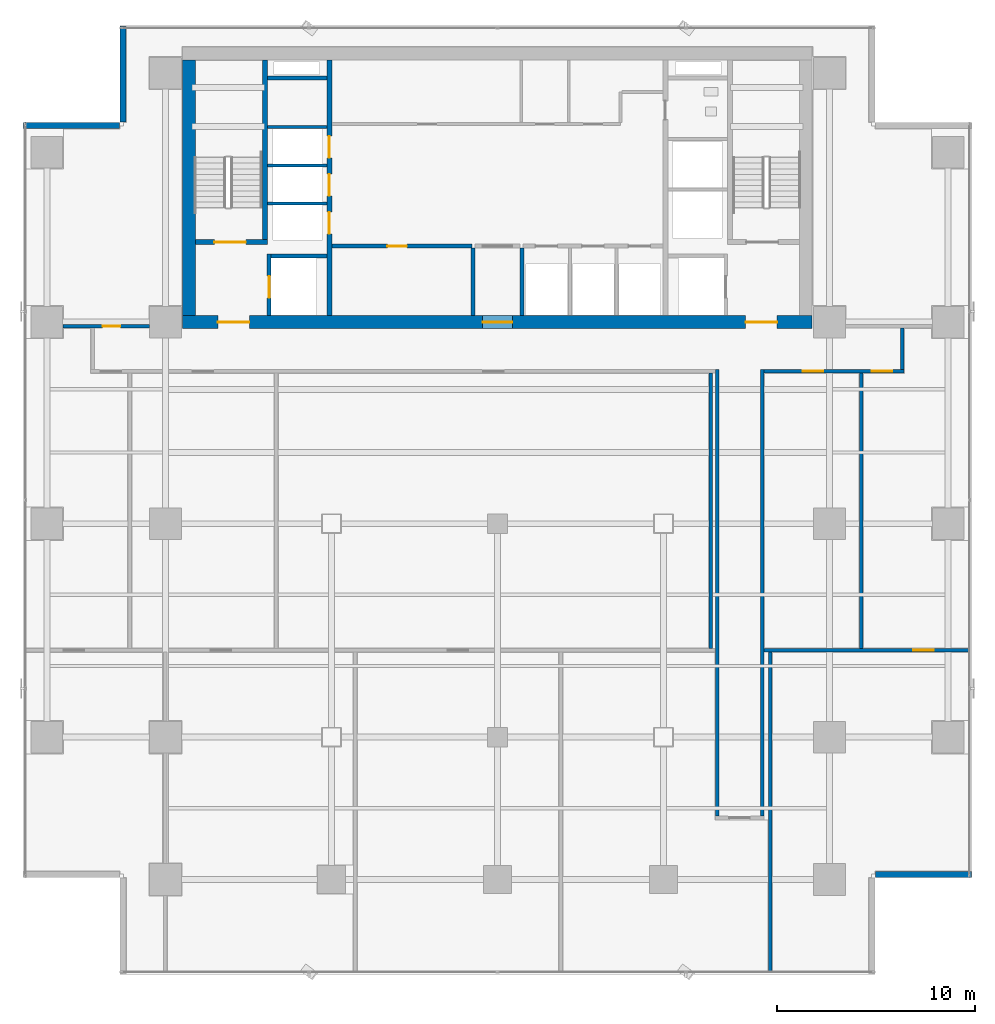
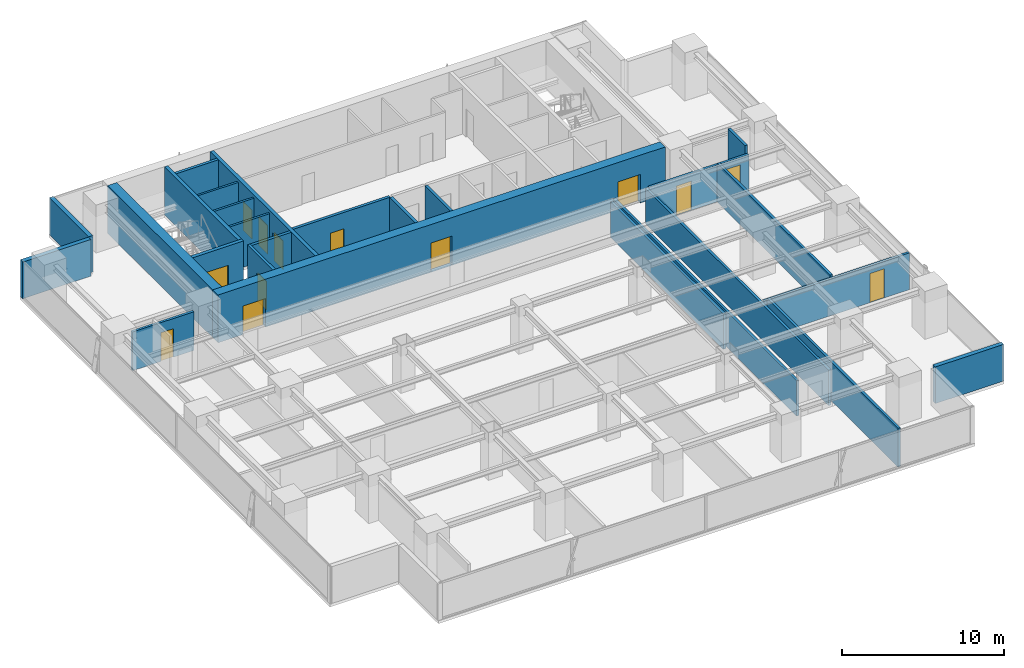
# One storey, part 21 of 28: 26 walls, 13 doors, 13 openings.
"""IFC4 building model written with IfcOpenShell, lengths in metres."""

from ifc_helpers import new_model, si_unit, direction, frame, frame_2d, origin, place, context, subcontext, project, spatial, rectangle, extrude, source, transform, mapped, material, layer, layer_set, type_object, element, fill, save


model = new_model("IFC4")

# Units and contexts
model_context = context("Model", 3, precision=1e-05, world=origin(), true_north=direction((0.0, 1.0)))
body_context = subcontext(model_context, "Body", "Model", "MODEL_VIEW")
ifc_project = project(units=[si_unit("LENGTHUNIT", "METRE"), si_unit("AREAUNIT", "SQUARE_METRE"), si_unit("VOLUMEUNIT", "CUBIC_METRE"), si_unit("PLANEANGLEUNIT", "RADIAN"), si_unit("MASSUNIT", "GRAM", prefix="KILO")], contexts=[model_context])

# Site, building, storey
site_placement = place(None, origin())
site = spatial("IfcSite", under=ifc_project, at=site_placement, CompositionType="ELEMENT")
building_placement = place(site_placement, origin())
building = spatial("IfcBuilding", under=site, at=building_placement, Name="Sumidabori Civic Tower", CompositionType="ELEMENT")
storey_placement = place(building_placement, frame((0.0, 0.0, 167.60009765625)))
storey = spatial("IfcBuildingStorey", under=building, at=storey_placement, Name="L43", CompositionType="ELEMENT", Elevation=167.60009765625)

# Walls
ifc_material_1 = material(Name="Concrete C50/60", Category="concrete")
ifc_layer_1 = layer(ifc_material_1, 0.199951171875, Name="Concrete C50/60")
ifc_layer_set_1 = layer_set([ifc_layer_1], Name="Concrete C50/60")
wall_type_1 = type_object("IfcWallType", Name="WL-SHAFT-200", PredefinedType="SHEAR", material=ifc_layer_set_1)
shared_shape_1 = source(origin(), body_context, "Body", "SweptSolid", [
    extrude(rectangle(XDim=2.824951171875, YDim=0.199951171875, at=frame_2d((1.41259765625, 0.0))), origin(), (0.0, 0.0, 1.0), 3.599853515625),
])
wall_1_placement = place(storey_placement, frame((-11.449951171875, 13.550048828125, 0.0), z_axis=(0.0, 0.0, 1.0), x_axis=(1.0, 0.0, 0.0)))
element("IfcWall", 1, at=wall_1_placement, inside=storey, type_object=wall_type_1, Name="Core Shear Wall L43 EL1-N", PredefinedType="SHEAR", context=body_context, shape_type="MappedRepresentation", body=[
    mapped(shared_shape_1, transform((0.0, 0.0, 0.0), x_axis=(1.0, 0.0, 0.0), y_axis=(0.0, 1.0, 0.0), z_axis=(0.0, 0.0, 1.0), scale=1.0)),
])
shared_shape_2 = source(origin(), body_context, "Body", "SweptSolid", [
    extrude(rectangle(XDim=3.02001953125, YDim=0.199951171875, at=frame_2d((1.510009765625, 0.0))), origin(), (0.0, 0.0, 1.0), 3.599853515625),
])
wall_2_placement = place(storey_placement, frame((-11.64501953125, 22.550048828125, 0.0), z_axis=(0.0, 0.0, 1.0), x_axis=(1.0, 0.0, 0.0)))
element("IfcWall", 2, at=wall_2_placement, inside=storey, type_object=wall_type_1, Name="Core Shear Wall L43 RIS1-S", PredefinedType="SHEAR", context=body_context, shape_type="MappedRepresentation", body=[
    mapped(shared_shape_2, transform((0.0, 0.0, 0.0), x_axis=(1.0, 0.0, 0.0), y_axis=(0.0, 1.0, 0.0), z_axis=(0.0, 0.0, 1.0), scale=1.0)),
])

# Wall, openings, doors
ifc_material_2 = material(Name="Concrete C60/75", Category="concrete")
ifc_layer_2 = layer(ifc_material_2, 0.64990234375, Name="Concrete C60/75")
ifc_layer_set_2 = layer_set([ifc_layer_2], Name="Concrete C60/75")
wall_type_2 = type_object("IfcWallType", Name="WL-CORE-650", PredefinedType="SHEAR", material=ifc_layer_set_2)
shared_shape_3 = source(origin(), body_context, "Body", "SweptSolid", [
    extrude(rectangle(XDim=31.85009765625, YDim=0.64990234375, at=frame_2d((15.925048828125, 0.0))), origin(), (0.0, 0.0, 1.0), 3.599853515625),
])
wall_3_placement = place(storey_placement, frame((-15.925048828125, 10.199951171875, 0.0), z_axis=(0.0, 0.0, 1.0), x_axis=(1.0, 0.0, 0.0)))
wall_3 = element("IfcWall", 3, at=wall_3_placement, inside=storey, type_object=wall_type_2, Name="Core Shear Wall L43 S", PredefinedType="SHEAR", context=body_context, shape_type="MappedRepresentation", body=[
    mapped(shared_shape_3, transform((0.0, 0.0, 0.0), x_axis=(1.0, 0.0, 0.0), y_axis=(0.0, 1.0, 0.0), z_axis=(0.0, 0.0, 1.0), scale=1.0)),
])
opening_1_placement = place(wall_3_placement, frame((1.77490234375, 0.0, 0.0)))
opening_1 = element("IfcOpeningElement", 4, at=opening_1_placement, cuts=wall_3, Name="Opening DR-FD4", PredefinedType="OPENING", context=body_context, shape_type="SweptSolid", body=[
    extrude(rectangle(XDim=1.60009765625, YDim=2.14990234375, at=frame_2d((0.800048828125, 1.074951171875))), frame((0.0, 0.3369140625, 0.0), z_axis=(0.0, -1.0, 0.0), x_axis=(1.0, 0.0, 0.0)), (0.0, 0.0, 1.0), 0.673828125),
])
opening_2_placement = place(wall_3_placement, frame((28.47509765625, 0.0, 0.0)))
opening_2 = element("IfcOpeningElement", 5, at=opening_2_placement, cuts=wall_3, Name="Opening DR-FD4", PredefinedType="OPENING", context=body_context, shape_type="SweptSolid", body=[
    extrude(rectangle(XDim=1.60009765625, YDim=2.14990234375, at=frame_2d((0.800048828125, 1.074951171875))), frame((0.0, 0.3369140625, 0.0), z_axis=(0.0, -1.0, 0.0), x_axis=(1.0, 0.0, 0.0)), (0.0, 0.0, 1.0), 0.673828125),
])
opening_3_placement = place(wall_3_placement, frame((15.175048828125, 0.0, 0.0)))
opening_3 = element("IfcOpeningElement", 6, at=opening_3_placement, cuts=wall_3, Name="Opening DR-FD3", PredefinedType="OPENING", context=body_context, shape_type="SweptSolid", body=[
    extrude(rectangle(XDim=1.5, YDim=2.199951171875, at=frame_2d((0.75, 1.10009765625))), frame((0.0, 0.3369140625, 0.0), z_axis=(0.0, -1.0, 0.0), x_axis=(1.0, 0.0, 0.0)), (0.0, 0.0, 1.0), 0.673828125),
])
ifc_material_3 = material(Name="Steel SN490", Category="steel")
door_type_1 = type_object("IfcDoorType", Name="DR-FD4", OperationType="DOUBLE_DOOR_SINGLE_SWING", PredefinedType="DOOR", material=ifc_material_3)
shared_shape_4 = source(origin(), body_context, "Body", "SweptSolid", [
    extrude(rectangle(XDim=1.60009765625, YDim=2.14990234375, at=frame_2d((0.800048828125, 1.074951171875))), frame((0.0, 0.02490234375, 0.0), z_axis=(0.0, -1.0, 0.0), x_axis=(1.0, 0.0, 0.0)), (0.0, 0.0, 1.0), 0.050048828125),
])
door_1_placement = place(opening_1_placement, origin())
door_1 = element("IfcDoor", 7, at=door_1_placement, inside=storey, type_object=door_type_1, Name="Door DR:L43:ELOB-W", OperationType="DOUBLE_DOOR_SINGLE_SWING", OverallHeight=2.14990234375, OverallWidth=1.60009765625, PredefinedType="DOOR", context=body_context, shape_type="MappedRepresentation", body=[
    mapped(shared_shape_4, transform((0.0, 0.0, 0.0), x_axis=(1.0, 0.0, 0.0), y_axis=(0.0, 1.0, 0.0), z_axis=(0.0, 0.0, 1.0), scale=1.0)),
])
fill(opening_1, door_1)
door_2_placement = place(opening_2_placement, origin())
door_2 = element("IfcDoor", 8, at=door_2_placement, inside=storey, type_object=door_type_1, Name="Door DR:L43:ELOB-E", OperationType="DOUBLE_DOOR_SINGLE_SWING", OverallHeight=2.14990234375, OverallWidth=1.60009765625, PredefinedType="DOOR", context=body_context, shape_type="MappedRepresentation", body=[
    mapped(shared_shape_4, transform((0.0, 0.0, 0.0), x_axis=(1.0, 0.0, 0.0), y_axis=(0.0, 1.0, 0.0), z_axis=(0.0, 0.0, 1.0), scale=1.0)),
])
fill(opening_2, door_2)
door_type_2 = type_object("IfcDoorType", Name="DR-FD-DBL", OperationType="DOUBLE_DOOR_SINGLE_SWING", PredefinedType="DOOR", material=ifc_material_3)
shared_shape_5 = source(origin(), body_context, "Body", "SweptSolid", [
    extrude(rectangle(XDim=1.5, YDim=2.199951171875, at=frame_2d((0.75, 1.10009765625))), frame((0.0, 0.02490234375, 0.0), z_axis=(0.0, -1.0, 0.0), x_axis=(1.0, 0.0, 0.0)), (0.0, 0.0, 1.0), 0.050048828125),
])
door_3_placement = place(opening_3_placement, origin())
door_3 = element("IfcDoor", 9, at=door_3_placement, inside=storey, type_object=door_type_2, Name="Door DR:L43:THROAT-OUT", OperationType="DOUBLE_DOOR_SINGLE_SWING", OverallHeight=2.199951171875, OverallWidth=1.5, PredefinedType="DOOR", context=body_context, shape_type="MappedRepresentation", body=[
    mapped(shared_shape_5, transform((0.0, 0.0, 0.0), x_axis=(1.0, 0.0, 0.0), y_axis=(0.0, 1.0, 0.0), z_axis=(0.0, 0.0, 1.0), scale=1.0)),
])
fill(opening_3, door_3)

# Wall
shared_shape_6 = source(origin(), body_context, "Body", "SweptSolid", [
    extrude(rectangle(XDim=12.9501953125, YDim=0.64990234375, at=frame_2d((6.47509765625, 0.0))), origin(), (0.0, 0.0, 1.0), 3.599853515625),
])
wall_4_placement = place(storey_placement, frame((-15.60009765625, 10.52490234375, 0.0), z_axis=(0.0, 0.0, 1.0), x_axis=(0.0, 1.0, 0.0)))
element("IfcWall", 10, at=wall_4_placement, inside=storey, type_object=wall_type_2, Name="Core Shear Wall L43 W", PredefinedType="SHEAR", context=body_context, shape_type="MappedRepresentation", body=[
    mapped(shared_shape_6, transform((0.0, 0.0, 0.0), x_axis=(1.0, 0.0, 0.0), y_axis=(0.0, 1.0, 0.0), z_axis=(0.0, 0.0, 1.0), scale=1.0)),
])

# Wall, openings, doors
ifc_layer_3 = layer(ifc_material_1, 0.25, Name="Concrete C50/60")
ifc_layer_set_3 = layer_set([ifc_layer_3], Name="Concrete C50/60")
wall_type_3 = type_object("IfcWallType", Name="WL-SHAFT-250", PredefinedType="SHEAR", material=ifc_layer_set_3)
shared_shape_7 = source(origin(), body_context, "Body", "SweptSolid", [
    extrude(rectangle(XDim=12.9501953125, YDim=0.25, at=frame_2d((6.47509765625, 0.0))), origin(), (0.0, 0.0, 1.0), 3.599853515625),
])
wall_5_placement = place(storey_placement, frame((-8.5, 10.52490234375, 0.0), z_axis=(0.0, 0.0, 1.0), x_axis=(0.0, 1.0, 0.0)))
wall_5 = element("IfcWall", 11, at=wall_5_placement, inside=storey, type_object=wall_type_3, Name="Core Shear Wall L43 WEB-W", PredefinedType="SHEAR", context=body_context, shape_type="MappedRepresentation", body=[
    mapped(shared_shape_7, transform((0.0, 0.0, 0.0), x_axis=(1.0, 0.0, 0.0), y_axis=(0.0, 1.0, 0.0), z_axis=(0.0, 0.0, 1.0), scale=1.0)),
])
opening_4_placement = place(wall_5_placement, frame((4.14501953125, 0.0, 0.0)))
opening_4 = element("IfcOpeningElement", 12, at=opening_4_placement, cuts=wall_5, Name="Opening LD-1", PredefinedType="OPENING", context=body_context, shape_type="SweptSolid", body=[
    extrude(rectangle(XDim=1.10009765625, YDim=2.14990234375, at=frame_2d((0.550048828125, 1.074951171875))), frame((0.0, 0.136962890625, 0.0), z_axis=(0.0, -1.0, 0.0), x_axis=(1.0, 0.0, 0.0)), (0.0, 0.0, 1.0), 0.27392578125),
])
opening_5_placement = place(wall_5_placement, frame((6.06494140625, 0.0, 0.0)))
opening_5 = element("IfcOpeningElement", 13, at=opening_5_placement, cuts=wall_5, Name="Opening LD-1", PredefinedType="OPENING", context=body_context, shape_type="SweptSolid", body=[
    extrude(rectangle(XDim=1.10009765625, YDim=2.14990234375, at=frame_2d((0.550048828125, 1.074951171875))), frame((0.0, 0.136962890625, 0.0), z_axis=(0.0, -1.0, 0.0), x_axis=(1.0, 0.0, 0.0)), (0.0, 0.0, 1.0), 0.27392578125),
])
opening_6_placement = place(wall_5_placement, frame((7.985107421875, 0.0, 0.0)))
opening_6 = element("IfcOpeningElement", 14, at=opening_6_placement, cuts=wall_5, Name="Opening LD-1", PredefinedType="OPENING", context=body_context, shape_type="SweptSolid", body=[
    extrude(rectangle(XDim=1.10009765625, YDim=2.14990234375, at=frame_2d((0.550048828125, 1.074951171875))), frame((0.0, 0.136962890625, 0.0), z_axis=(0.0, -1.0, 0.0), x_axis=(1.0, 0.0, 0.0)), (0.0, 0.0, 1.0), 0.27392578125),
])
ifc_material_4 = material(Name="Stainless Steel Hairline Finish", Category="steel")
door_type_3 = type_object("IfcDoorType", Name="DR-LD1", OperationType="DOUBLE_DOOR_SLIDING", PredefinedType="DOOR", material=ifc_material_4)
shared_shape_8 = source(origin(), body_context, "Body", "SweptSolid", [
    extrude(rectangle(XDim=1.10009765625, YDim=2.14990234375, at=frame_2d((0.550048828125, 1.074951171875))), frame((0.0, 0.02490234375, 0.0), z_axis=(0.0, -1.0, 0.0), x_axis=(1.0, 0.0, 0.0)), (0.0, 0.0, 1.0), 0.050048828125),
])
door_4_placement = place(opening_4_placement, origin())
door_4 = element("IfcDoor", 15, at=door_4_placement, inside=storey, type_object=door_type_3, Name="Door DR:L43:LD-PLH1", OperationType="DOUBLE_DOOR_SLIDING", OverallHeight=2.14990234375, OverallWidth=1.10009765625, PredefinedType="DOOR", context=body_context, shape_type="MappedRepresentation", body=[
    mapped(shared_shape_8, transform((0.0, 0.0, 0.0), x_axis=(1.0, 0.0, 0.0), y_axis=(0.0, 1.0, 0.0), z_axis=(0.0, 0.0, 1.0), scale=1.0)),
])
fill(opening_4, door_4)
door_5_placement = place(opening_5_placement, origin())
door_5 = element("IfcDoor", 16, at=door_5_placement, inside=storey, type_object=door_type_3, Name="Door DR:L43:LD-PLH2", OperationType="DOUBLE_DOOR_SLIDING", OverallHeight=2.14990234375, OverallWidth=1.10009765625, PredefinedType="DOOR", context=body_context, shape_type="MappedRepresentation", body=[
    mapped(shared_shape_8, transform((0.0, 0.0, 0.0), x_axis=(1.0, 0.0, 0.0), y_axis=(0.0, 1.0, 0.0), z_axis=(0.0, 0.0, 1.0), scale=1.0)),
])
fill(opening_5, door_5)
door_6_placement = place(opening_6_placement, origin())
door_6 = element("IfcDoor", 17, at=door_6_placement, inside=storey, type_object=door_type_3, Name="Door DR:L43:LD-PLH3", OperationType="DOUBLE_DOOR_SLIDING", OverallHeight=2.14990234375, OverallWidth=1.10009765625, PredefinedType="DOOR", context=body_context, shape_type="MappedRepresentation", body=[
    mapped(shared_shape_8, transform((0.0, 0.0, 0.0), x_axis=(1.0, 0.0, 0.0), y_axis=(0.0, 1.0, 0.0), z_axis=(0.0, 0.0, 1.0), scale=1.0)),
])
fill(opening_6, door_6)

# Wall, opening, door
shared_shape_9 = source(origin(), body_context, "Body", "SweptSolid", [
    extrude(rectangle(XDim=3.6298828125, YDim=0.25, at=frame_2d((1.81494140625, 0.0))), origin(), (0.0, 0.0, 1.0), 3.599853515625),
])
wall_6_placement = place(storey_placement, frame((-15.27490234375, 14.25, 0.0), z_axis=(0.0, 0.0, 1.0), x_axis=(1.0, 0.0, 0.0)))
wall_6 = element("IfcWall", 18, at=wall_6_placement, inside=storey, type_object=wall_type_3, Name="Core Shear Wall L43 ST1-S", PredefinedType="SHEAR", context=body_context, shape_type="MappedRepresentation", body=[
    mapped(shared_shape_9, transform((0.0, 0.0, 0.0), x_axis=(1.0, 0.0, 0.0), y_axis=(0.0, 1.0, 0.0), z_axis=(0.0, 0.0, 1.0), scale=1.0)),
])
opening_7_placement = place(wall_6_placement, frame((0.949951171875, 0.0, 0.0)))
opening_7 = element("IfcOpeningElement", 19, at=opening_7_placement, cuts=wall_6, Name="Opening DR-FD4", PredefinedType="OPENING", context=body_context, shape_type="SweptSolid", body=[
    extrude(rectangle(XDim=1.60009765625, YDim=2.14990234375, at=frame_2d((0.800048828125, 1.074951171875))), frame((0.0, 0.136962890625, 0.0), z_axis=(0.0, -1.0, 0.0), x_axis=(1.0, 0.0, 0.0)), (0.0, 0.0, 1.0), 0.27392578125),
])
door_7_placement = place(opening_7_placement, origin())
door_7 = element("IfcDoor", 20, at=door_7_placement, inside=storey, type_object=door_type_1, Name="Door DR:L43:ST1", OperationType="DOUBLE_DOOR_SINGLE_SWING", OverallHeight=2.14990234375, OverallWidth=1.60009765625, PredefinedType="DOOR", context=body_context, shape_type="MappedRepresentation", body=[
    mapped(shared_shape_4, transform((0.0, 0.0, 0.0), x_axis=(1.0, 0.0, 0.0), y_axis=(0.0, 1.0, 0.0), z_axis=(0.0, 0.0, 1.0), scale=1.0)),
])
fill(opening_7, door_7)

# Wall
shared_shape_10 = source(origin(), body_context, "Body", "SweptSolid", [
    extrude(rectangle(XDim=9.10009765625, YDim=0.25, at=frame_2d((4.550048828125, 0.0))), origin(), (0.0, 0.0, 1.0), 3.599853515625),
])
wall_7_placement = place(storey_placement, frame((-11.77001953125, 14.375, 0.0), z_axis=(0.0, 0.0, 1.0), x_axis=(0.0, 1.0, 0.0)))
element("IfcWall", 21, at=wall_7_placement, inside=storey, type_object=wall_type_3, Name="Core Shear Wall L43 ST1-E", PredefinedType="SHEAR", context=body_context, shape_type="MappedRepresentation", body=[
    mapped(shared_shape_10, transform((0.0, 0.0, 0.0), x_axis=(1.0, 0.0, 0.0), y_axis=(0.0, 1.0, 0.0), z_axis=(0.0, 0.0, 1.0), scale=1.0)),
])

# Wall, opening, door
shared_shape_11 = source(origin(), body_context, "Body", "SweptSolid", [
    extrude(rectangle(XDim=3.125, YDim=0.199951171875, at=frame_2d((1.5625, 0.0))), origin(), (0.0, 0.0, 1.0), 3.599853515625),
])
wall_8_placement = place(storey_placement, frame((-11.550048828125, 10.52490234375, 0.0), z_axis=(0.0, 0.0, 1.0), x_axis=(0.0, 1.0, 0.0)))
wall_8 = element("IfcWall", 22, at=wall_8_placement, inside=storey, type_object=wall_type_1, Name="Core Shear Wall L43 EL1-W", PredefinedType="SHEAR", context=body_context, shape_type="MappedRepresentation", body=[
    mapped(shared_shape_11, transform((0.0, 0.0, 0.0), x_axis=(1.0, 0.0, 0.0), y_axis=(0.0, 1.0, 0.0), z_axis=(0.0, 0.0, 1.0), scale=1.0)),
])
opening_8_placement = place(wall_8_placement, frame((0.89990234375, 0.0, 0.0)))
opening_8 = element("IfcOpeningElement", 23, at=opening_8_placement, cuts=wall_8, Name="Opening LD-2", PredefinedType="OPENING", context=body_context, shape_type="SweptSolid", body=[
    extrude(rectangle(XDim=1.10009765625, YDim=2.14990234375, at=frame_2d((0.550048828125, 1.074951171875))), frame((0.0, 0.11181640625, 0.0), z_axis=(0.0, -1.0, 0.0), x_axis=(1.0, 0.0, 0.0)), (0.0, 0.0, 1.0), 0.223876953125),
])
door_type_4 = type_object("IfcDoorType", Name="DR-LD2", OperationType="DOUBLE_DOOR_SLIDING", PredefinedType="DOOR", material=ifc_material_4)
door_8_placement = place(opening_8_placement, origin())
door_8 = element("IfcDoor", 24, at=door_8_placement, inside=storey, type_object=door_type_4, Name="Door DR:L43:LD-EL1", OperationType="DOUBLE_DOOR_SLIDING", OverallHeight=2.14990234375, OverallWidth=1.10009765625, PredefinedType="DOOR", context=body_context, shape_type="MappedRepresentation", body=[
    mapped(shared_shape_8, transform((0.0, 0.0, 0.0), x_axis=(1.0, 0.0, 0.0), y_axis=(0.0, 1.0, 0.0), z_axis=(0.0, 0.0, 1.0), scale=1.0)),
])
fill(opening_8, door_8)

# Walls
ifc_material_5 = material(Name="Precast concrete C40/50", Category="concrete")
ifc_layer_4 = layer(ifc_material_5, 0.300048828125, Name="Precast concrete C40/50")
ifc_layer_set_4 = layer_set([ifc_layer_4], Name="Precast concrete C40/50")
wall_type_4 = type_object("IfcWallType", Name="WL-EXT-POD300", PredefinedType="STANDARD", material=ifc_layer_set_4)
shared_shape_12 = source(origin(), body_context, "Body", "SweptSolid", [
    extrude(rectangle(XDim=4.85986328125, YDim=0.300048828125, at=frame_2d((2.429931640625, 0.0))), origin(), (0.0, 0.0, 1.0), 2.760009765625),
])
for number, where, z_axis, x_axis, name in (
    (25, (19.1201171875, -17.75, 0.0), (0.0, 0.0, 1.0), (1.0, 0.0, 0.0), "Notched Corner Spandrel Band L43-03"),
    (26, (-18.949951171875, 25.179931640625, 0.0), (0.0, 0.0, 1.0), (0.0, -1.0, 0.0), "Notched Corner Spandrel Band L43-08"),
    (27, (-19.1201171875, 20.14990234375, 0.0), (0.0, 0.0, 1.0), (-1.0, 0.0, 0.0), "Notched Corner Spandrel Band L43-09"),
):
    element("IfcWall", number, at=place(storey_placement, frame(where, z_axis=z_axis, x_axis=x_axis)), inside=storey, type_object=wall_type_4, Name=name, PredefinedType="STANDARD", context=body_context, shape_type="MappedRepresentation", body=[
        mapped(shared_shape_12, transform((0.0, 0.0, 0.0), x_axis=(1.0, 0.0, 0.0), y_axis=(0.0, 1.0, 0.0), z_axis=(0.0, 0.0, 1.0), scale=1.0)),
    ])
ifc_material_6 = material(Name="Gypsum Plasterboard Acoustic Partition")
ifc_layer_5 = layer(ifc_material_6, 0.14990234375, Name="Gypsum Plasterboard Acoustic Partition")
ifc_layer_set_5 = layer_set([ifc_layer_5], Name="Gypsum Plasterboard Acoustic Partition")
wall_type_5 = type_object("IfcWallType", Name="WL-PART-150", PredefinedType="PARTITIONING", material=ifc_layer_set_5)
shared_shape_13 = source(origin(), body_context, "Body", "SweptSolid", [
    extrude(rectangle(XDim=3.010009765625, YDim=0.14990234375, at=frame_2d((1.5048828125, 0.0))), origin(), (0.0, 0.0, 1.0), 3.3798828125),
])
for number, where, z_axis, x_axis, name in (
    (28, (-11.639892578125, 16.199951171875, 0.0), (0.0, 0.0, 1.0), (1.0, 0.0, 0.0), "Interior Partition WL:L43:DIV-PLH1"),
    (29, (-11.639892578125, 18.1201171875, 0.0), (0.0, 0.0, 1.0), (1.0, 0.0, 0.0), "Interior Partition WL:L43:DIV-PLH2"),
    (30, (-11.639892578125, 20.080078125, 0.0), (0.0, 0.0, 1.0), (1.0, 0.0, 0.0), "Interior Partition WL:L43:DIV-PLH3"),
):
    element("IfcWall", number, at=place(storey_placement, frame(where, z_axis=z_axis, x_axis=x_axis)), inside=storey, type_object=wall_type_5, Name=name, PredefinedType="PARTITIONING", context=body_context, shape_type="MappedRepresentation", body=[
        mapped(shared_shape_13, transform((0.0, 0.0, 0.0), x_axis=(1.0, 0.0, 0.0), y_axis=(0.0, 1.0, 0.0), z_axis=(0.0, 0.0, 1.0), scale=1.0)),
    ])

# Wall, opening, door
ifc_material_7 = material(Name="Gypsum Plasterboard Fire Partition")
ifc_layer_6 = layer(ifc_material_7, 0.199951171875, Name="Gypsum Plasterboard Fire Partition")
ifc_layer_set_6 = layer_set([ifc_layer_6], Name="Gypsum Plasterboard Fire Partition")
wall_type_6 = type_object("IfcWallType", Name="WL-PART-FIRE", PredefinedType="PARTITIONING", material=ifc_layer_set_6)
shared_shape_14 = source(origin(), body_context, "Body", "SweptSolid", [
    extrude(rectangle(XDim=7.070068359375, YDim=0.199951171875, at=frame_2d((3.53515625, 0.0))), origin(), (0.0, 0.0, 1.0), 3.3798828125),
])
wall_9_placement = place(storey_placement, frame((-8.3701171875, 14.050048828125, 0.0), z_axis=(0.0, 0.0, 1.0), x_axis=(1.0, 0.0, 0.0)))
wall_9 = element("IfcWall", 31, at=wall_9_placement, inside=storey, type_object=wall_type_6, Name="Interior Partition WL:L43:CBAND-SW", PredefinedType="PARTITIONING", context=body_context, shape_type="MappedRepresentation", body=[
    mapped(shared_shape_14, transform((0.0, 0.0, 0.0), x_axis=(1.0, 0.0, 0.0), y_axis=(0.0, 1.0, 0.0), z_axis=(0.0, 0.0, 1.0), scale=1.0)),
])
opening_9_placement = place(wall_9_placement, frame((2.800048828125, 0.0, 0.0)))
opening_9 = element("IfcOpeningElement", 32, at=opening_9_placement, cuts=wall_9, Name="Opening DR-3", PredefinedType="OPENING", context=body_context, shape_type="SweptSolid", body=[
    extrude(rectangle(XDim=0.97998046875, YDim=2.14990234375, at=frame_2d((0.489990234375, 1.074951171875))), frame((0.0, 0.11181640625, 0.0), z_axis=(0.0, -1.0, 0.0), x_axis=(1.0, 0.0, 0.0)), (0.0, 0.0, 1.0), 0.223876953125),
])
ifc_material_8 = material(Name="Japanese Hinoki Timber", Category="wood")
door_type_5 = type_object("IfcDoorType", Name="DR-INT-980", OperationType="NOTDEFINED", PredefinedType="DOOR", material=ifc_material_8)
shared_shape_15 = source(origin(), body_context, "Body", "SweptSolid", [
    extrude(rectangle(XDim=0.97998046875, YDim=2.14990234375, at=frame_2d((0.489990234375, 1.074951171875))), frame((0.0, 0.02490234375, 0.0), z_axis=(0.0, -1.0, 0.0), x_axis=(1.0, 0.0, 0.0)), (0.0, 0.0, 1.0), 0.050048828125),
])
door_9_placement = place(opening_9_placement, origin())
door_9 = element("IfcDoor", 33, at=door_9_placement, inside=storey, type_object=door_type_5, Name="Door DR:L43:REC-B1", OperationType="SINGLE_SWING_LEFT", OverallHeight=2.14990234375, OverallWidth=0.97998046875, PredefinedType="DOOR", context=body_context, shape_type="MappedRepresentation", body=[
    mapped(shared_shape_15, transform((0.0, 0.0, 0.0), x_axis=(1.0, 0.0, 0.0), y_axis=(0.0, 1.0, 0.0), z_axis=(0.0, 0.0, 1.0), scale=1.0)),
])
fill(opening_9, door_9)

# Walls
shared_shape_16 = source(origin(), body_context, "Body", "SweptSolid", [
    extrude(rectangle(XDim=3.4150390625, YDim=0.199951171875, at=frame_2d((1.70751953125, 0.0))), origin(), (0.0, 0.0, 1.0), 3.3798828125),
])
for number, where, z_axis, x_axis, name in (
    (34, (-1.25, 10.52490234375, 0.0), (0.0, 0.0, 1.0), (0.0, 1.0, 0.0), "Interior Partition WL:L43:THROAT-W"),
    (35, (1.25, 10.52490234375, 0.0), (0.0, 0.0, 1.0), (0.0, 1.0, 0.0), "Interior Partition WL:L43:THROAT-E"),
):
    element("IfcWall", number, at=place(storey_placement, frame(where, z_axis=z_axis, x_axis=x_axis)), inside=storey, type_object=wall_type_6, Name=name, PredefinedType="PARTITIONING", context=body_context, shape_type="MappedRepresentation", body=[
        mapped(shared_shape_16, transform((0.0, 0.0, 0.0), x_axis=(1.0, 0.0, 0.0), y_axis=(0.0, 1.0, 0.0), z_axis=(0.0, 0.0, 1.0), scale=1.0)),
    ])

# Wall, opening, door
ifc_layer_7 = layer(ifc_material_6, 0.179931640625, Name="Gypsum Plasterboard Acoustic Partition")
ifc_layer_set_7 = layer_set([ifc_layer_7], Name="Gypsum Plasterboard Acoustic Partition")
wall_type_7 = type_object("IfcWallType", Name="WL-PART-180", PredefinedType="PARTITIONING", material=ifc_layer_set_7)
shared_shape_17 = source(origin(), body_context, "Body", "SweptSolid", [
    extrude(rectangle(XDim=4.3798828125, YDim=0.179931640625, at=frame_2d((2.18994140625, 0.0))), origin(), (0.0, 0.0, 1.0), 2.914794921875),
])
wall_10_placement = place(storey_placement, frame((-21.989990234375, 10.0, 0.0), z_axis=(0.0, 0.0, 1.0), x_axis=(1.0, 0.0, 0.0)))
wall_10 = element("IfcWall", 36, at=wall_10_placement, inside=storey, type_object=wall_type_7, Name="Interior Partition WL:L43:FLK-NW", PredefinedType="PARTITIONING", context=body_context, shape_type="MappedRepresentation", body=[
    mapped(shared_shape_17, transform((0.0, 0.0, 0.0), x_axis=(1.0, 0.0, 0.0), y_axis=(0.0, 1.0, 0.0), z_axis=(0.0, 0.0, 1.0), scale=1.0)),
])
opening_10_placement = place(wall_10_placement, frame((2.014892578125, 0.0, 0.0)))
opening_10 = element("IfcOpeningElement", 37, at=opening_10_placement, cuts=wall_10, Name="Opening DR-1", PredefinedType="OPENING", context=body_context, shape_type="SweptSolid", body=[
    extrude(rectangle(XDim=0.89990234375, YDim=2.14990234375, at=frame_2d((0.449951171875, 1.074951171875))), frame((0.0, 0.10205078125, 0.0), z_axis=(0.0, -1.0, 0.0), x_axis=(1.0, 0.0, 0.0)), (0.0, 0.0, 1.0), 0.203857421875),
])
door_type_6 = type_object("IfcDoorType", Name="DR-INT-900", OperationType="NOTDEFINED", PredefinedType="DOOR", material=ifc_material_8)
shared_shape_18 = source(origin(), body_context, "Body", "SweptSolid", [
    extrude(rectangle(XDim=0.89990234375, YDim=2.14990234375, at=frame_2d((0.449951171875, 1.074951171875))), frame((0.0, 0.02490234375, 0.0), z_axis=(0.0, -1.0, 0.0), x_axis=(1.0, 0.0, 0.0)), (0.0, 0.0, 1.0), 0.050048828125),
])
door_10_placement = place(opening_10_placement, origin())
door_10 = element("IfcDoor", 38, at=door_10_placement, inside=storey, type_object=door_type_6, Name="Door DR:L43:FLK-NW", OperationType="SINGLE_SWING_LEFT", OverallHeight=2.14990234375, OverallWidth=0.89990234375, PredefinedType="DOOR", context=body_context, shape_type="MappedRepresentation", body=[
    mapped(shared_shape_18, transform((0.0, 0.0, 0.0), x_axis=(1.0, 0.0, 0.0), y_axis=(0.0, 1.0, 0.0), z_axis=(0.0, 0.0, 1.0), scale=1.0)),
])
fill(opening_10, door_10)

# Wall, openings, doors
shared_shape_19 = source(origin(), body_context, "Body", "SweptSolid", [
    extrude(rectangle(XDim=7.10009765625, YDim=0.179931640625, at=frame_2d((3.550048828125, 0.0))), origin(), (0.0, 0.0, 1.0), 2.764892578125),
])
wall_11_placement = place(storey_placement, frame((13.47998046875, 7.7099609375, 0.0), z_axis=(0.0, 0.0, 1.0), x_axis=(1.0, 0.0, 0.0)))
wall_11 = element("IfcWall", 39, at=wall_11_placement, inside=storey, type_object=wall_type_7, Name="Interior Partition WL:L43:CORR-SE", PredefinedType="PARTITIONING", context=body_context, shape_type="MappedRepresentation", body=[
    mapped(shared_shape_19, transform((0.0, 0.0, 0.0), x_axis=(1.0, 0.0, 0.0), y_axis=(0.0, 1.0, 0.0), z_axis=(0.0, 0.0, 1.0), scale=1.0)),
])
opening_11_placement = place(wall_11_placement, frame((5.465087890625, 0.0, 0.0)))
opening_11 = element("IfcOpeningElement", 40, at=opening_11_placement, cuts=wall_11, Name="Opening DR-4", PredefinedType="OPENING", context=body_context, shape_type="SweptSolid", body=[
    extrude(rectangle(XDim=1.0400390625, YDim=2.199951171875, at=frame_2d((0.52001953125, 1.10009765625))), frame((0.0, 0.10205078125, 0.0), z_axis=(0.0, -1.0, 0.0), x_axis=(1.0, 0.0, 0.0)), (0.0, 0.0, 1.0), 0.203857421875),
])
opening_12_placement = place(wall_11_placement, frame((1.955078125, 0.0, 0.0)))
opening_12 = element("IfcOpeningElement", 41, at=opening_12_placement, cuts=wall_11, Name="Opening DR-4", PredefinedType="OPENING", context=body_context, shape_type="SweptSolid", body=[
    extrude(rectangle(XDim=1.0400390625, YDim=2.199951171875, at=frame_2d((0.52001953125, 1.10009765625))), frame((0.0, 0.10205078125, 0.0), z_axis=(0.0, -1.0, 0.0), x_axis=(1.0, 0.0, 0.0)), (0.0, 0.0, 1.0), 0.203857421875),
])
door_type_7 = type_object("IfcDoorType", Name="DR-INT-1040", OperationType="NOTDEFINED", PredefinedType="DOOR", material=ifc_material_8)
shared_shape_20 = source(origin(), body_context, "Body", "SweptSolid", [
    extrude(rectangle(XDim=1.0400390625, YDim=2.199951171875, at=frame_2d((0.52001953125, 1.10009765625))), frame((0.0, 0.02490234375, 0.0), z_axis=(0.0, -1.0, 0.0), x_axis=(1.0, 0.0, 0.0)), (0.0, 0.0, 1.0), 0.050048828125),
])
door_11_placement = place(opening_11_placement, origin())
door_11 = element("IfcDoor", 42, at=door_11_placement, inside=storey, type_object=door_type_7, Name="Door DR:L43:D03", OperationType="SINGLE_SWING_LEFT", OverallHeight=2.199951171875, OverallWidth=1.0400390625, PredefinedType="DOOR", context=body_context, shape_type="MappedRepresentation", body=[
    mapped(shared_shape_20, transform((0.0, 0.0, 0.0), x_axis=(1.0, 0.0, 0.0), y_axis=(0.0, 1.0, 0.0), z_axis=(0.0, 0.0, 1.0), scale=1.0)),
])
fill(opening_11, door_11)
door_12_placement = place(opening_12_placement, origin())
door_12 = element("IfcDoor", 43, at=door_12_placement, inside=storey, type_object=door_type_7, Name="Door DR:L43:D06", OperationType="SINGLE_SWING_RIGHT", OverallHeight=2.199951171875, OverallWidth=1.0400390625, PredefinedType="DOOR", context=body_context, shape_type="MappedRepresentation", body=[
    mapped(shared_shape_20, transform((0.0, 0.0, 0.0), x_axis=(1.0, 0.0, 0.0), y_axis=(0.0, 1.0, 0.0), z_axis=(0.0, 0.0, 1.0), scale=1.0)),
])
fill(opening_12, door_12)

# Walls
shared_shape_21 = source(origin(), body_context, "Body", "SweptSolid", [
    extrude(rectangle(XDim=2.10009765625, YDim=0.179931640625, at=frame_2d((1.050048828125, 0.0))), origin(), (0.0, 0.0, 1.0), 3.3798828125),
])
wall_12_placement = place(storey_placement, frame((20.489990234375, 7.804931640625, 0.0), z_axis=(0.0, 0.0, 1.0), x_axis=(0.0, 1.0, 0.0)))
element("IfcWall", 44, at=wall_12_placement, inside=storey, type_object=wall_type_7, Name="Interior Partition WL:L43:CORR-VNE", PredefinedType="PARTITIONING", context=body_context, shape_type="MappedRepresentation", body=[
    mapped(shared_shape_21, transform((0.0, 0.0, 0.0), x_axis=(1.0, 0.0, 0.0), y_axis=(0.0, 1.0, 0.0), z_axis=(0.0, 0.0, 1.0), scale=1.0)),
])
shared_shape_22 = source(origin(), body_context, "Body", "SweptSolid", [
    extrude(rectangle(XDim=22.594970703125, YDim=0.179931640625, at=frame_2d((11.29736328125, 0.0))), origin(), (0.0, 0.0, 1.0), 2.664794921875),
])
for number, where, z_axis, x_axis, name in (
    (45, (11.110107421875, -14.794921875, 0.0), (0.0, 0.0, 1.0), (0.0, 1.0, 0.0), "Interior Partition WL:L43:CORR-VL-W"),
    (46, (13.389892578125, -14.794921875, 0.0), (0.0, 0.0, 1.0), (0.0, 1.0, 0.0), "Interior Partition WL:L43:CORR-VL-E"),
):
    element("IfcWall", number, at=place(storey_placement, frame(where, z_axis=z_axis, x_axis=x_axis)), inside=storey, type_object=wall_type_7, Name=name, PredefinedType="PARTITIONING", context=body_context, shape_type="MappedRepresentation", body=[
        mapped(shared_shape_22, transform((0.0, 0.0, 0.0), x_axis=(1.0, 0.0, 0.0), y_axis=(0.0, 1.0, 0.0), z_axis=(0.0, 0.0, 1.0), scale=1.0)),
    ])

# Wall, opening, door
shared_shape_23 = source(origin(), body_context, "Body", "SweptSolid", [
    extrude(rectangle(XDim=10.364990234375, YDim=0.179931640625, at=frame_2d((5.1826171875, 0.0))), origin(), (0.0, 0.0, 1.0), 2.764892578125),
])
wall_13_placement = place(storey_placement, frame((13.485107421875, -6.39990234375, 0.0), z_axis=(0.0, 0.0, 1.0), x_axis=(1.0, 0.0, 0.0)))
wall_13 = element("IfcWall", 47, at=wall_13_placement, inside=storey, type_object=wall_type_7, Name="Interior Partition WL:L43:BAND-Y-2", PredefinedType="PARTITIONING", context=body_context, shape_type="MappedRepresentation", body=[
    mapped(shared_shape_23, transform((0.0, 0.0, 0.0), x_axis=(1.0, 0.0, 0.0), y_axis=(0.0, 1.0, 0.0), z_axis=(0.0, 0.0, 1.0), scale=1.0)),
])
opening_13_placement = place(wall_13_placement, frame((7.544921875, 0.0, 0.0)))
opening_13 = element("IfcOpeningElement", 48, at=opening_13_placement, cuts=wall_13, Name="Opening DR-4", PredefinedType="OPENING", context=body_context, shape_type="SweptSolid", body=[
    extrude(rectangle(XDim=1.0400390625, YDim=2.199951171875, at=frame_2d((0.52001953125, 1.10009765625))), frame((0.0, 0.10205078125, 0.0), z_axis=(0.0, -1.0, 0.0), x_axis=(1.0, 0.0, 0.0)), (0.0, 0.0, 1.0), 0.203857421875),
])
door_13_placement = place(opening_13_placement, origin())
door_13 = element("IfcDoor", 49, at=door_13_placement, inside=storey, type_object=door_type_7, Name="Door DR:L43:D09", OperationType="SINGLE_SWING_LEFT", OverallHeight=2.199951171875, OverallWidth=1.0400390625, PredefinedType="DOOR", context=body_context, shape_type="MappedRepresentation", body=[
    mapped(shared_shape_20, transform((0.0, 0.0, 0.0), x_axis=(1.0, 0.0, 0.0), y_axis=(0.0, 1.0, 0.0), z_axis=(0.0, 0.0, 1.0), scale=1.0)),
])
fill(opening_13, door_13)

# Walls
shared_shape_24 = source(origin(), body_context, "Body", "SweptSolid", [
    extrude(rectangle(XDim=13.919921875, YDim=0.179931640625, at=frame_2d((6.9599609375, 0.0))), origin(), (0.0, 0.0, 1.0), 2.914794921875),
])
wall_14_placement = place(storey_placement, frame((18.39990234375, -6.304931640625, 0.0), z_axis=(0.0, 0.0, 1.0), x_axis=(0.0, 1.0, 0.0)))
element("IfcWall", 50, at=wall_14_placement, inside=storey, type_object=wall_type_7, Name="Interior Partition WL:L43:VX-N4", PredefinedType="PARTITIONING", context=body_context, shape_type="MappedRepresentation", body=[
    mapped(shared_shape_24, transform((0.0, 0.0, 0.0), x_axis=(1.0, 0.0, 0.0), y_axis=(0.0, 1.0, 0.0), z_axis=(0.0, 0.0, 1.0), scale=1.0)),
])
shared_shape_25 = source(origin(), body_context, "Body", "SweptSolid", [
    extrude(rectangle(XDim=13.919921875, YDim=0.179931640625, at=frame_2d((6.9599609375, 0.0))), origin(), (0.0, 0.0, 1.0), 2.664794921875),
])
wall_15_placement = place(storey_placement, frame((10.800048828125, -6.304931640625, 0.0), z_axis=(0.0, 0.0, 1.0), x_axis=(0.0, 1.0, 0.0)))
element("IfcWall", 51, at=wall_15_placement, inside=storey, type_object=wall_type_7, Name="Interior Partition WL:L43:VX-N3", PredefinedType="PARTITIONING", context=body_context, shape_type="MappedRepresentation", body=[
    mapped(shared_shape_25, transform((0.0, 0.0, 0.0), x_axis=(1.0, 0.0, 0.0), y_axis=(0.0, 1.0, 0.0), z_axis=(0.0, 0.0, 1.0), scale=1.0)),
])
shared_shape_26 = source(origin(), body_context, "Body", "SweptSolid", [
    extrude(rectangle(XDim=16.15478515625, YDim=0.179931640625, at=frame_2d((8.077392578125, 0.0))), origin(), (0.0, 0.0, 1.0), 2.914794921875),
])
wall_16_placement = place(storey_placement, frame((13.800048828125, -22.64990234375, 0.0), z_axis=(0.0, 0.0, 1.0), x_axis=(0.0, 1.0, 0.0)))
element("IfcWall", 52, at=wall_16_placement, inside=storey, type_object=wall_type_7, Name="Interior Partition WL:L43:VX-S4", PredefinedType="PARTITIONING", context=body_context, shape_type="MappedRepresentation", body=[
    mapped(shared_shape_26, transform((0.0, 0.0, 0.0), x_axis=(1.0, 0.0, 0.0), y_axis=(0.0, 1.0, 0.0), z_axis=(0.0, 0.0, 1.0), scale=1.0)),
])

save(model, "model.ifc")
